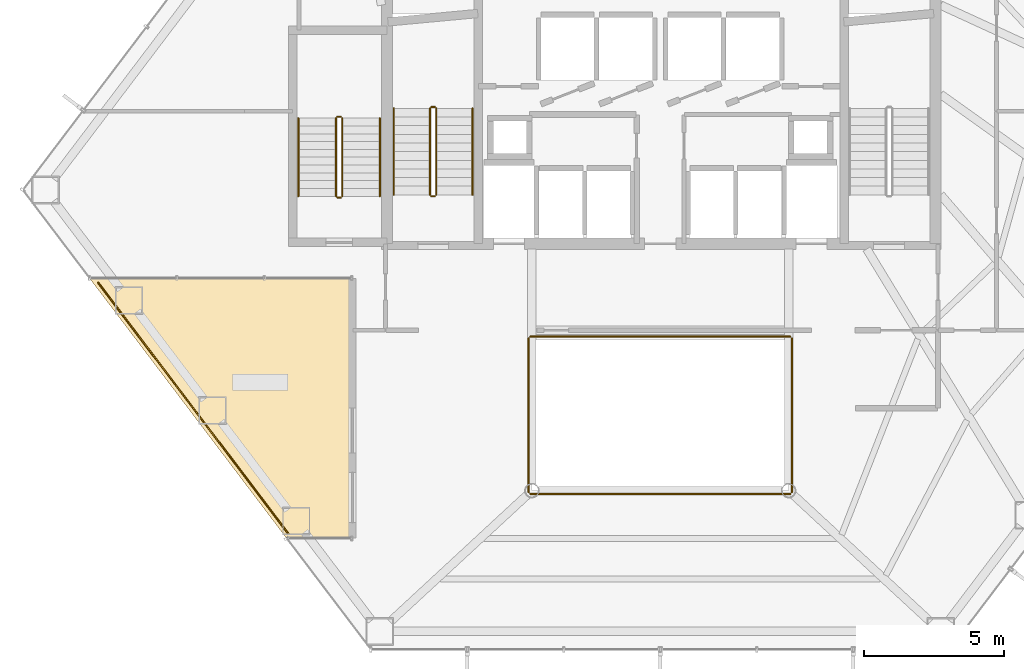
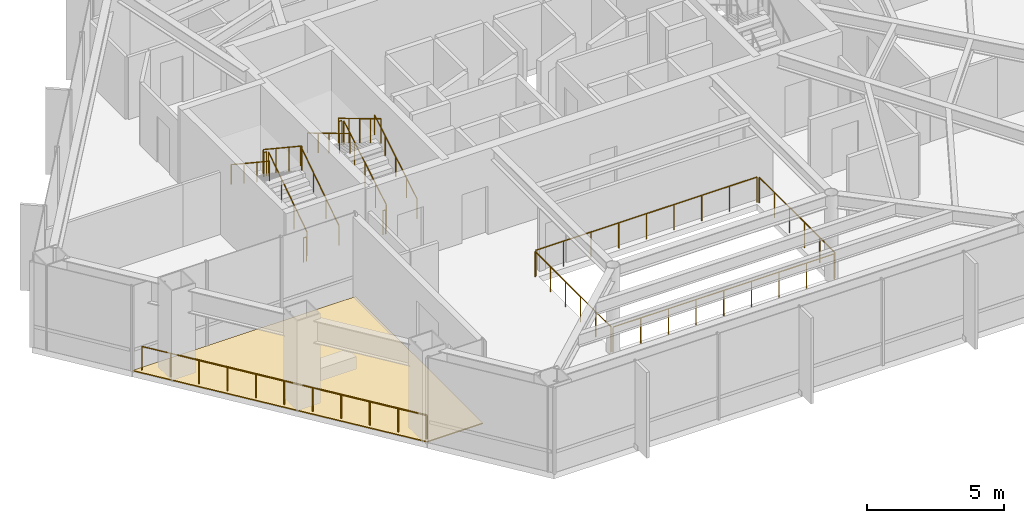
# One storey, part 23 of 24: 17 railings, 1 covering.
"""IFC4 building model written with IfcOpenShell, lengths in metres."""

from ifc_helpers import new_model, si_unit, direction, frame, origin, origin_2d, place, context, subcontext, project, spatial, polyline, circle, outline, extrude, material, layer, layer_set, type_object, element, save


model = new_model("IFC4")

# Units and contexts
model_context = context("Model", 3, precision=1e-05, world=origin(), true_north=direction((0.0, 1.0)))
body_context = subcontext(model_context, "Body", "Model", "MODEL_VIEW")
ifc_project = project(units=[si_unit("LENGTHUNIT", "METRE"), si_unit("AREAUNIT", "SQUARE_METRE"), si_unit("VOLUMEUNIT", "CUBIC_METRE"), si_unit("PLANEANGLEUNIT", "RADIAN"), si_unit("MASSUNIT", "GRAM", prefix="KILO")], contexts=[model_context])

# Site, building, storey
site_placement = place(None, origin())
site = spatial("IfcSite", under=ifc_project, at=site_placement, CompositionType="ELEMENT")
building_placement = place(site_placement, origin())
building = spatial("IfcBuilding", under=site, at=building_placement, Name="Zarrinselat Tower", CompositionType="ELEMENT")
storey_placement = place(building_placement, frame((0.0, 0.0, 64.260009765625)))
storey = spatial("IfcBuildingStorey", under=building, at=storey_placement, Name="L15", CompositionType="ELEMENT", Elevation=64.260009765625)

# Covering
ifc_material_1 = material(Name="Precast concrete C40/50", Category="concrete")
ifc_layer = layer(ifc_material_1, 0.044921875)
ifc_layer_set = layer_set([ifc_layer], Name="Precast concrete C40/50")
covering_type = type_object("IfcCoveringType", Name="COV-RFG-MB45", PredefinedType="ROOFING", material=ifc_layer_set)
covering_placement = place(storey_placement, origin())
element("IfcCovering", 1, at=covering_placement, inside=storey, type_object=covering_type, Name="L15 Terrace Waterproofing Roofing Deck", PredefinedType="ROOFING", context=body_context, shape_type="SweptSolid", body=[
    extrude(outline(polyline([(17.953857421875, 32.0), (27.3486328125, 32.0), (27.3486328125, 22.70654296875), (24.994384765625, 22.70654296875), (17.953857421875, 32.0)])), origin(), (0.0, 0.0, 1.0), 0.044921875),
])

# Railings
ifc_material_2 = material(Name="Double Low-E Laminated Solar Glass", Category="glass")
railing_type_1 = type_object("IfcRailingType", Name="RLG-ATRIUM-BAL", PredefinedType="BALUSTRADE", material=ifc_material_2)
railing_1_placement = place(storey_placement, frame((33.739990234375, 24.280029296875, 0.0)))
element("IfcRailing", 2, at=railing_1_placement, inside=storey, type_object=railing_type_1, Name="L15 Atrium Void Glass Balustrade S", PredefinedType="BALUSTRADE", context=body_context, shape_type="SweptSolid", body=[
    extrude(circle(Radius=0.02392578125, at=origin_2d()), frame((0.0, 0.0, 1.1259765625), z_axis=(1.0, 0.0, 0.0), x_axis=(0.0, 1.0, 0.0)), (0.0, 0.0, 1.0), 9.320068359375),
    extrude(circle(Radius=0.02099609375, at=origin_2d()), origin(), (0.0, 0.0, 1.0), 1.099853515625),
    extrude(circle(Radius=0.02099609375, at=origin_2d()), frame((1.1650390625, 0.0, 0.0)), (0.0, 0.0, 1.0), 1.099853515625),
    extrude(circle(Radius=0.02099609375, at=origin_2d()), frame((2.330078125, 0.0, 0.0)), (0.0, 0.0, 1.0), 1.099853515625),
    extrude(circle(Radius=0.02099609375, at=origin_2d()), frame((3.4951171875, 0.0, 0.0)), (0.0, 0.0, 1.0), 1.099853515625),
    extrude(circle(Radius=0.02099609375, at=origin_2d()), frame((4.66015625, 0.0, 0.0)), (0.0, 0.0, 1.0), 1.099853515625),
    extrude(circle(Radius=0.02099609375, at=origin_2d()), frame((5.824951171875, 0.0, 0.0)), (0.0, 0.0, 1.0), 1.099853515625),
    extrude(circle(Radius=0.02099609375, at=origin_2d()), frame((6.989990234375, 0.0, 0.0)), (0.0, 0.0, 1.0), 1.099853515625),
    extrude(circle(Radius=0.02099609375, at=origin_2d()), frame((8.155029296875, 0.0, 0.0)), (0.0, 0.0, 1.0), 1.099853515625),
    extrude(circle(Radius=0.02099609375, at=origin_2d()), frame((9.320068359375, 0.0, 0.0)), (0.0, 0.0, 1.0), 1.099853515625),
])
railing_2_placement = place(storey_placement, frame((43.1201171875, 24.340087890625, 0.0)))
element("IfcRailing", 3, at=railing_2_placement, inside=storey, type_object=railing_type_1, Name="L15 Atrium Void Glass Balustrade E", PredefinedType="BALUSTRADE", context=body_context, shape_type="SweptSolid", body=[
    extrude(circle(Radius=0.02392578125, at=origin_2d()), frame((0.0, 0.0, 1.1259765625), z_axis=(0.0, 1.0, 0.0), x_axis=(-1.0, 0.0, 0.0)), (0.0, 0.0, 1.0), 5.52001953125),
    extrude(circle(Radius=0.02099609375, at=origin_2d()), origin(), (0.0, 0.0, 1.0), 1.099853515625),
    extrude(circle(Radius=0.02099609375, at=origin_2d()), frame((0.0, 1.10400390625, 0.0)), (0.0, 0.0, 1.0), 1.099853515625),
    extrude(circle(Radius=0.02099609375, at=origin_2d()), frame((0.0, 2.2080078125, 0.0)), (0.0, 0.0, 1.0), 1.099853515625),
    extrude(circle(Radius=0.02099609375, at=origin_2d()), frame((0.0, 3.31201171875, 0.0)), (0.0, 0.0, 1.0), 1.099853515625),
    extrude(circle(Radius=0.02099609375, at=origin_2d()), frame((0.0, 4.416015625, 0.0)), (0.0, 0.0, 1.0), 1.099853515625),
    extrude(circle(Radius=0.02099609375, at=origin_2d()), frame((0.0, 5.52001953125, 0.0)), (0.0, 0.0, 1.0), 1.099853515625),
])
railing_3_placement = place(storey_placement, frame((43.06005859375, 29.919921875, 0.0)))
element("IfcRailing", 4, at=railing_3_placement, inside=storey, type_object=railing_type_1, Name="L15 Atrium Void Glass Balustrade N", PredefinedType="BALUSTRADE", context=body_context, shape_type="SweptSolid", body=[
    extrude(circle(Radius=0.02392578125, at=origin_2d()), frame((0.0, 0.0, 1.1259765625), z_axis=(-1.0, 0.0, 0.0), x_axis=(0.0, -1.0, 0.0)), (0.0, 0.0, 1.0), 9.320068359375),
    extrude(circle(Radius=0.02099609375, at=origin_2d()), origin(), (0.0, 0.0, 1.0), 1.099853515625),
    extrude(circle(Radius=0.02099609375, at=origin_2d()), frame((-1.1650390625, 0.0, 0.0)), (0.0, 0.0, 1.0), 1.099853515625),
    extrude(circle(Radius=0.02099609375, at=origin_2d()), frame((-2.330078125, 0.0, 0.0)), (0.0, 0.0, 1.0), 1.099853515625),
    extrude(circle(Radius=0.02099609375, at=origin_2d()), frame((-3.4951171875, 0.0, 0.0)), (0.0, 0.0, 1.0), 1.099853515625),
    extrude(circle(Radius=0.02099609375, at=origin_2d()), frame((-4.66015625, 0.0, 0.0)), (0.0, 0.0, 1.0), 1.099853515625),
    extrude(circle(Radius=0.02099609375, at=origin_2d()), frame((-5.824951171875, 0.0, 0.0)), (0.0, 0.0, 1.0), 1.099853515625),
    extrude(circle(Radius=0.02099609375, at=origin_2d()), frame((-6.989990234375, 0.0, 0.0)), (0.0, 0.0, 1.0), 1.099853515625),
    extrude(circle(Radius=0.02099609375, at=origin_2d()), frame((-8.155029296875, 0.0, 0.0)), (0.0, 0.0, 1.0), 1.099853515625),
    extrude(circle(Radius=0.02099609375, at=origin_2d()), frame((-9.320068359375, 0.0, 0.0)), (0.0, 0.0, 1.0), 1.099853515625),
])
railing_4_placement = place(storey_placement, frame((33.679931640625, 29.860107421875, 0.0)))
element("IfcRailing", 5, at=railing_4_placement, inside=storey, type_object=railing_type_1, Name="L15 Atrium Void Glass Balustrade W", PredefinedType="BALUSTRADE", context=body_context, shape_type="SweptSolid", body=[
    extrude(circle(Radius=0.02392578125, at=origin_2d()), frame((0.0, 0.0, 1.1259765625), z_axis=(0.0, -1.0, 0.0), x_axis=(1.0, 0.0, 0.0)), (0.0, 0.0, 1.0), 5.52001953125),
    extrude(circle(Radius=0.02099609375, at=origin_2d()), origin(), (0.0, 0.0, 1.0), 1.099853515625),
    extrude(circle(Radius=0.02099609375, at=origin_2d()), frame((0.0, -1.10400390625, 0.0)), (0.0, 0.0, 1.0), 1.099853515625),
    extrude(circle(Radius=0.02099609375, at=origin_2d()), frame((0.0, -2.2080078125, 0.0)), (0.0, 0.0, 1.0), 1.099853515625),
    extrude(circle(Radius=0.02099609375, at=origin_2d()), frame((0.0, -3.31201171875, 0.0)), (0.0, 0.0, 1.0), 1.099853515625),
    extrude(circle(Radius=0.02099609375, at=origin_2d()), frame((0.0, -4.416015625, 0.0)), (0.0, 0.0, 1.0), 1.099853515625),
    extrude(circle(Radius=0.02099609375, at=origin_2d()), frame((0.0, -5.52001953125, 0.0)), (0.0, 0.0, 1.0), 1.099853515625),
])
ifc_material_3 = material(Name="Steel S355J2", Category="steel")
railing_type_2 = type_object("IfcRailingType", Name="RLG-STAIR-GUARD", PredefinedType="GUARDRAIL", material=ifc_material_3)
railing_5_placement = place(storey_placement, frame((30.3701171875, 35.0, 0.185546875)))
element("IfcRailing", 6, at=railing_5_placement, inside=storey, type_object=railing_type_2, Name="L15 ST-1 stair guard 1", PredefinedType="GUARDRAIL", context=body_context, shape_type="SweptSolid", body=[
    extrude(circle(Radius=0.02392578125, at=origin_2d()), frame((0.0, 0.0, 1.076171875), z_axis=(0.0, 0.858171985069, 0.513362293163), x_axis=(-1.0, 0.0, 0.0)), (0.0, 0.0, 1.0), 3.612548828125),
    extrude(circle(Radius=0.02099609375, at=origin_2d()), origin(), (0.0, 0.0, 1.0), 1.050048828125),
    extrude(circle(Radius=0.02099609375, at=origin_2d()), frame((0.0, 0.77490234375, 0.463623046875)), (0.0, 0.0, 1.0), 1.050048828125),
    extrude(circle(Radius=0.02099609375, at=origin_2d()), frame((0.0, 1.550048828125, 0.92724609375)), (0.0, 0.0, 1.0), 1.050048828125),
    extrude(circle(Radius=0.02099609375, at=origin_2d()), frame((0.0, 2.3251953125, 1.390869140625)), (0.0, 0.0, 1.0), 1.050048828125),
    extrude(circle(Radius=0.02099609375, at=origin_2d()), frame((0.0, 3.10009765625, 1.8544921875)), (0.0, 0.0, 1.0), 1.050048828125),
])
railing_6_placement = place(storey_placement, frame((30.320068359375, 38.14990234375, 2.0400390625)))
element("IfcRailing", 7, at=railing_6_placement, inside=storey, type_object=railing_type_2, Name="L15 ST-1 stair guard 2", PredefinedType="GUARDRAIL", context=body_context, shape_type="SweptSolid", body=[
    extrude(circle(Radius=0.02392578125, at=origin_2d()), frame((0.0, 0.0, 1.076171875), z_axis=(-1.0, 0.0, 0.0), x_axis=(0.0, -1.0, 0.0)), (0.0, 0.0, 1.0), 0.1201171875),
    extrude(circle(Radius=0.02099609375, at=origin_2d()), origin(), (0.0, 0.0, 1.0), 1.050048828125),
    extrude(circle(Radius=0.02099609375, at=origin_2d()), frame((-0.1201171875, 0.0, 0.0)), (0.0, 0.0, 1.0), 1.050048828125),
])
railing_7_placement = place(storey_placement, frame((30.14990234375, 38.10009765625, 2.225341796875)))
element("IfcRailing", 8, at=railing_7_placement, inside=storey, type_object=railing_type_2, Name="L15 ST-1 stair guard 3", PredefinedType="GUARDRAIL", context=body_context, shape_type="SweptSolid", body=[
    extrude(circle(Radius=0.02392578125, at=origin_2d()), frame((0.0, 0.0, 1.076171875), z_axis=(0.0, -0.858142210651, 0.513412062869), x_axis=(1.0, 0.0, 0.0)), (0.0, 0.0, 1.0), 3.612548828125),
    extrude(circle(Radius=0.02099609375, at=origin_2d()), origin(), (0.0, 0.0, 1.0), 1.050048828125),
    extrude(circle(Radius=0.02099609375, at=origin_2d()), frame((0.0, -0.77490234375, 0.463623046875)), (0.0, 0.0, 1.0), 1.050048828125),
    extrude(circle(Radius=0.02099609375, at=origin_2d()), frame((0.0, -1.550048828125, 0.92724609375)), (0.0, 0.0, 1.0), 1.050048828125),
    extrude(circle(Radius=0.02099609375, at=origin_2d()), frame((0.0, -2.3251953125, 1.39111328125)), (0.0, 0.0, 1.0), 1.050048828125),
    extrude(circle(Radius=0.02099609375, at=origin_2d()), frame((0.0, -3.10009765625, 1.854736328125)), (0.0, 0.0, 1.0), 1.050048828125),
])
railing_8_placement = place(storey_placement, frame((30.320068359375, 34.949951171875, 0.0)))
element("IfcRailing", 9, at=railing_8_placement, inside=storey, type_object=railing_type_2, Name="L15 ST-1 stair guard 4", PredefinedType="GUARDRAIL", context=body_context, shape_type="SweptSolid", body=[
    extrude(circle(Radius=0.02392578125, at=origin_2d()), frame((0.0, 0.0, 1.076171875), z_axis=(-1.0, 0.0, 0.0), x_axis=(0.0, -1.0, 0.0)), (0.0, 0.0, 1.0), 0.1201171875),
    extrude(circle(Radius=0.02099609375, at=origin_2d()), origin(), (0.0, 0.0, 1.0), 1.050048828125),
    extrude(circle(Radius=0.02099609375, at=origin_2d()), frame((-0.1201171875, 0.0, 0.0)), (0.0, 0.0, 1.0), 1.050048828125),
])
railing_9_placement = place(storey_placement, frame((27.0, 34.949951171875, 0.185546875)))
element("IfcRailing", 10, at=railing_9_placement, inside=storey, type_object=railing_type_2, Name="L15 ST-3 stair guard 1", PredefinedType="GUARDRAIL", context=body_context, shape_type="SweptSolid", body=[
    extrude(circle(Radius=0.02392578125, at=origin_2d()), frame((0.0, 0.0, 1.076171875), z_axis=(0.0, 0.833724036255, 0.552181339209), x_axis=(-1.0, 0.0, 0.0)), (0.0, 0.0, 1.0), 3.3583984375),
    extrude(circle(Radius=0.02099609375, at=origin_2d()), origin(), (0.0, 0.0, 1.0), 1.050048828125),
    extrude(circle(Radius=0.02099609375, at=origin_2d()), frame((0.0, 0.933349609375, 0.6181640625)), (0.0, 0.0, 1.0), 1.050048828125),
    extrude(circle(Radius=0.02099609375, at=origin_2d()), frame((0.0, 1.86669921875, 1.236328125)), (0.0, 0.0, 1.0), 1.050048828125),
    extrude(circle(Radius=0.02099609375, at=origin_2d()), frame((0.0, 2.800048828125, 1.8544921875)), (0.0, 0.0, 1.0), 1.050048828125),
])
railing_10_placement = place(storey_placement, frame((26.949951171875, 37.800048828125, 2.0400390625)))
element("IfcRailing", 11, at=railing_10_placement, inside=storey, type_object=railing_type_2, Name="L15 ST-3 stair guard 2", PredefinedType="GUARDRAIL", context=body_context, shape_type="SweptSolid", body=[
    extrude(circle(Radius=0.02392578125, at=origin_2d()), frame((0.0, 0.0, 1.076171875), z_axis=(-1.0, 0.0, 0.0), x_axis=(0.0, -1.0, 0.0)), (0.0, 0.0, 1.0), 0.119873046875),
    extrude(circle(Radius=0.02099609375, at=origin_2d()), origin(), (0.0, 0.0, 1.0), 1.050048828125),
    extrude(circle(Radius=0.02099609375, at=origin_2d()), frame((-0.119873046875, 0.0, 0.0)), (0.0, 0.0, 1.0), 1.050048828125),
])
railing_11_placement = place(storey_placement, frame((26.780029296875, 37.75, 2.225341796875)))
element("IfcRailing", 12, at=railing_11_placement, inside=storey, type_object=railing_type_2, Name="L15 ST-3 stair guard 3", PredefinedType="GUARDRAIL", context=body_context, shape_type="SweptSolid", body=[
    extrude(circle(Radius=0.02392578125, at=origin_2d()), frame((0.0, 0.0, 1.076171875), z_axis=(0.0, -0.833690570297, 0.55223186525), x_axis=(1.0, 0.0, 0.0)), (0.0, 0.0, 1.0), 3.358642578125),
    extrude(circle(Radius=0.02099609375, at=origin_2d()), origin(), (0.0, 0.0, 1.0), 1.050048828125),
    extrude(circle(Radius=0.02099609375, at=origin_2d()), frame((0.0, -0.933349609375, 0.6181640625)), (0.0, 0.0, 1.0), 1.050048828125),
    extrude(circle(Radius=0.02099609375, at=origin_2d()), frame((0.0, -1.86669921875, 1.236572265625)), (0.0, 0.0, 1.0), 1.050048828125),
    extrude(circle(Radius=0.02099609375, at=origin_2d()), frame((0.0, -2.800048828125, 1.854736328125)), (0.0, 0.0, 1.0), 1.050048828125),
])
railing_12_placement = place(storey_placement, frame((26.949951171875, 34.89990234375, 0.0)))
element("IfcRailing", 13, at=railing_12_placement, inside=storey, type_object=railing_type_2, Name="L15 ST-3 stair guard 4", PredefinedType="GUARDRAIL", context=body_context, shape_type="SweptSolid", body=[
    extrude(circle(Radius=0.02392578125, at=origin_2d()), frame((0.0, 0.0, 1.076171875), z_axis=(-1.0, 0.0, 0.0), x_axis=(0.0, -1.0, 0.0)), (0.0, 0.0, 1.0), 0.119873046875),
    extrude(circle(Radius=0.02099609375, at=origin_2d()), origin(), (0.0, 0.0, 1.0), 1.050048828125),
    extrude(circle(Radius=0.02099609375, at=origin_2d()), frame((-0.119873046875, 0.0, 0.0)), (0.0, 0.0, 1.0), 1.050048828125),
])
ifc_material_4 = material(Name="Steel S355J2", Category="steel")
railing_type_3 = type_object("IfcRailingType", Name="RLG-STAIR-HAND", PredefinedType="HANDRAIL", material=ifc_material_4)
railing_13_placement = place(storey_placement, frame((31.669921875, 35.0, 0.185546875)))
element("IfcRailing", 14, at=railing_13_placement, inside=storey, type_object=railing_type_3, Name="L15 ST-1 stair handrail 1", PredefinedType="HANDRAIL", context=body_context, shape_type="SweptSolid", body=[
    extrude(circle(Radius=0.02392578125, at=origin_2d()), frame((0.0, 0.0, 0.8759765625), z_axis=(0.0, 0.858171985069, 0.513362293163), x_axis=(-1.0, 0.0, 0.0)), (0.0, 0.0, 1.0), 3.612548828125),
    extrude(circle(Radius=0.02099609375, at=origin_2d()), origin(), (0.0, 0.0, 1.0), 0.849853515625),
    extrude(circle(Radius=0.02099609375, at=origin_2d()), frame((0.0, 0.77490234375, 0.463623046875)), (0.0, 0.0, 1.0), 0.849853515625),
    extrude(circle(Radius=0.02099609375, at=origin_2d()), frame((0.0, 1.550048828125, 0.92724609375)), (0.0, 0.0, 1.0), 0.849853515625),
    extrude(circle(Radius=0.02099609375, at=origin_2d()), frame((0.0, 2.3251953125, 1.390869140625)), (0.0, 0.0, 1.0), 0.849853515625),
    extrude(circle(Radius=0.02099609375, at=origin_2d()), frame((0.0, 3.10009765625, 1.8544921875)), (0.0, 0.0, 1.0), 0.849853515625),
])
railing_14_placement = place(storey_placement, frame((28.85009765625, 38.10009765625, 2.225341796875)))
element("IfcRailing", 15, at=railing_14_placement, inside=storey, type_object=railing_type_3, Name="L15 ST-1 stair handrail 2", PredefinedType="HANDRAIL", context=body_context, shape_type="SweptSolid", body=[
    extrude(circle(Radius=0.02392578125, at=origin_2d()), frame((0.0, 0.0, 0.8759765625), z_axis=(0.0, -0.858142210651, 0.513412062869), x_axis=(1.0, 0.0, 0.0)), (0.0, 0.0, 1.0), 3.612548828125),
    extrude(circle(Radius=0.02099609375, at=origin_2d()), origin(), (0.0, 0.0, 1.0), 0.849853515625),
    extrude(circle(Radius=0.02099609375, at=origin_2d()), frame((0.0, -0.77490234375, 0.463623046875)), (0.0, 0.0, 1.0), 0.849853515625),
    extrude(circle(Radius=0.02099609375, at=origin_2d()), frame((0.0, -1.550048828125, 0.92724609375)), (0.0, 0.0, 1.0), 0.849853515625),
    extrude(circle(Radius=0.02099609375, at=origin_2d()), frame((0.0, -2.3251953125, 1.39111328125)), (0.0, 0.0, 1.0), 0.849853515625),
    extrude(circle(Radius=0.02099609375, at=origin_2d()), frame((0.0, -3.10009765625, 1.854736328125)), (0.0, 0.0, 1.0), 0.849853515625),
])
railing_15_placement = place(storey_placement, frame((28.35009765625, 34.949951171875, 0.185546875)))
element("IfcRailing", 16, at=railing_15_placement, inside=storey, type_object=railing_type_3, Name="L15 ST-3 stair handrail 1", PredefinedType="HANDRAIL", context=body_context, shape_type="SweptSolid", body=[
    extrude(circle(Radius=0.02392578125, at=origin_2d()), frame((0.0, 0.0, 0.8759765625), z_axis=(0.0, 0.833724036255, 0.552181339209), x_axis=(-1.0, 0.0, 0.0)), (0.0, 0.0, 1.0), 3.3583984375),
    extrude(circle(Radius=0.02099609375, at=origin_2d()), origin(), (0.0, 0.0, 1.0), 0.849853515625),
    extrude(circle(Radius=0.02099609375, at=origin_2d()), frame((0.0, 0.933349609375, 0.6181640625)), (0.0, 0.0, 1.0), 0.849853515625),
    extrude(circle(Radius=0.02099609375, at=origin_2d()), frame((0.0, 1.86669921875, 1.236328125)), (0.0, 0.0, 1.0), 0.849853515625),
    extrude(circle(Radius=0.02099609375, at=origin_2d()), frame((0.0, 2.800048828125, 1.8544921875)), (0.0, 0.0, 1.0), 0.849853515625),
])
railing_16_placement = place(storey_placement, frame((25.429931640625, 37.75, 2.225341796875)))
element("IfcRailing", 17, at=railing_16_placement, inside=storey, type_object=railing_type_3, Name="L15 ST-3 stair handrail 2", PredefinedType="HANDRAIL", context=body_context, shape_type="SweptSolid", body=[
    extrude(circle(Radius=0.02392578125, at=origin_2d()), frame((0.0, 0.0, 0.8759765625), z_axis=(0.0, -0.833690570297, 0.55223186525), x_axis=(1.0, 0.0, 0.0)), (0.0, 0.0, 1.0), 3.358642578125),
    extrude(circle(Radius=0.02099609375, at=origin_2d()), origin(), (0.0, 0.0, 1.0), 0.849853515625),
    extrude(circle(Radius=0.02099609375, at=origin_2d()), frame((0.0, -0.933349609375, 0.6181640625)), (0.0, 0.0, 1.0), 0.849853515625),
    extrude(circle(Radius=0.02099609375, at=origin_2d()), frame((0.0, -1.86669921875, 1.236572265625)), (0.0, 0.0, 1.0), 0.849853515625),
    extrude(circle(Radius=0.02099609375, at=origin_2d()), frame((0.0, -2.800048828125, 1.854736328125)), (0.0, 0.0, 1.0), 0.849853515625),
])
ifc_material_5 = material(Name="Steel S355J2", Category="steel")
railing_type_4 = type_object("IfcRailingType", Name="RLG-TERR-GUARD", PredefinedType="GUARDRAIL", material=ifc_material_5)
railing_17_placement = place(storey_placement, frame((25.06884765625, 22.8564453125, 0.0)))
element("IfcRailing", 18, at=railing_17_placement, inside=storey, type_object=railing_type_4, Name="L15 Sky Garden Edge Guardrail 4", PredefinedType="GUARDRAIL", context=body_context, shape_type="SweptSolid", body=[
    extrude(circle(Radius=0.02392578125, at=origin_2d()), frame((0.0, 0.0, 1.09619140625), z_axis=(-0.603849772573, 0.797098144624, 0.0), x_axis=(-0.797098144624, -0.603849772573, 0.0)), (0.0, 0.0, 1.0), 11.282958984375),
    extrude(circle(Radius=0.02099609375, at=origin_2d()), origin(), (0.0, 0.0, 1.0), 1.070068359375),
    extrude(circle(Radius=0.02099609375, at=origin_2d()), frame((-0.681396484375, 0.8994140625, 0.0)), (0.0, 0.0, 1.0), 1.070068359375),
    extrude(circle(Radius=0.02099609375, at=origin_2d()), frame((-1.362548828125, 1.798828125, 0.0)), (0.0, 0.0, 1.0), 1.070068359375),
    extrude(circle(Radius=0.02099609375, at=origin_2d()), frame((-2.0439453125, 2.697998046875, 0.0)), (0.0, 0.0, 1.0), 1.070068359375),
    extrude(circle(Radius=0.02099609375, at=origin_2d()), frame((-2.725341796875, 3.597412109375, 0.0)), (0.0, 0.0, 1.0), 1.070068359375),
    extrude(circle(Radius=0.02099609375, at=origin_2d()), frame((-3.40673828125, 4.496826171875, 0.0)), (0.0, 0.0, 1.0), 1.070068359375),
    extrude(circle(Radius=0.02099609375, at=origin_2d()), frame((-4.087890625, 5.396240234375, 0.0)), (0.0, 0.0, 1.0), 1.070068359375),
    extrude(circle(Radius=0.02099609375, at=origin_2d()), frame((-4.769287109375, 6.295654296875, 0.0)), (0.0, 0.0, 1.0), 1.070068359375),
    extrude(circle(Radius=0.02099609375, at=origin_2d()), frame((-5.45068359375, 7.19482421875, 0.0)), (0.0, 0.0, 1.0), 1.070068359375),
    extrude(circle(Radius=0.02099609375, at=origin_2d()), frame((-6.1318359375, 8.09423828125, 0.0)), (0.0, 0.0, 1.0), 1.070068359375),
    extrude(circle(Radius=0.02099609375, at=origin_2d()), frame((-6.813232421875, 8.99365234375, 0.0)), (0.0, 0.0, 1.0), 1.070068359375),
])

save(model, "model.ifc")
